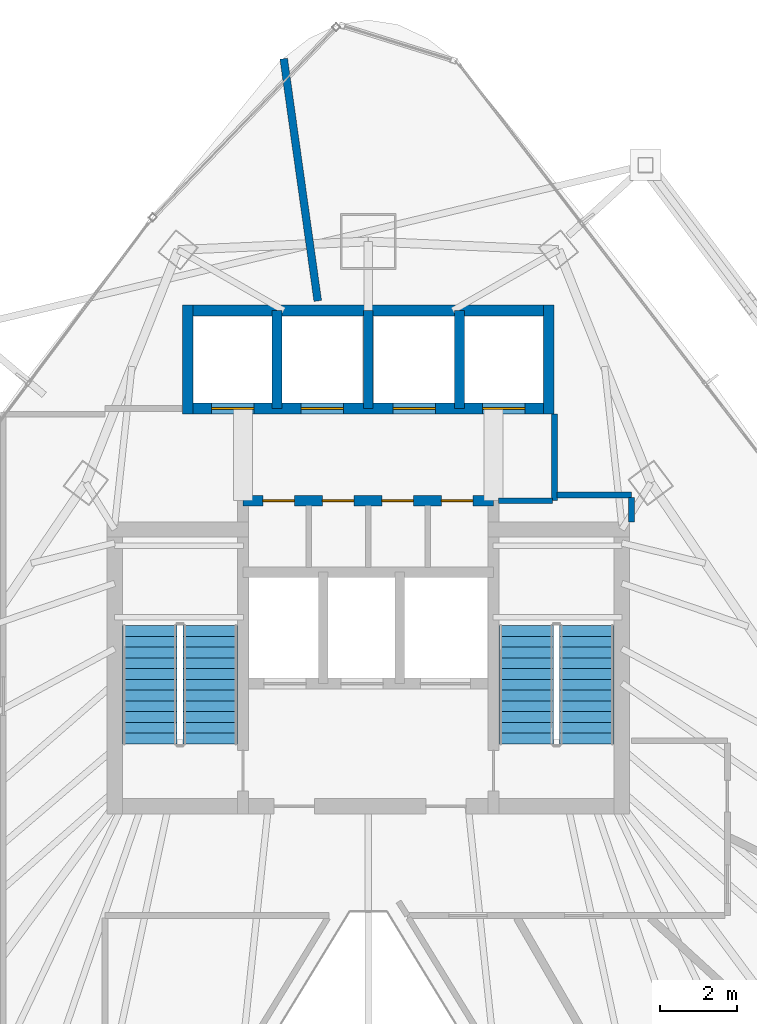
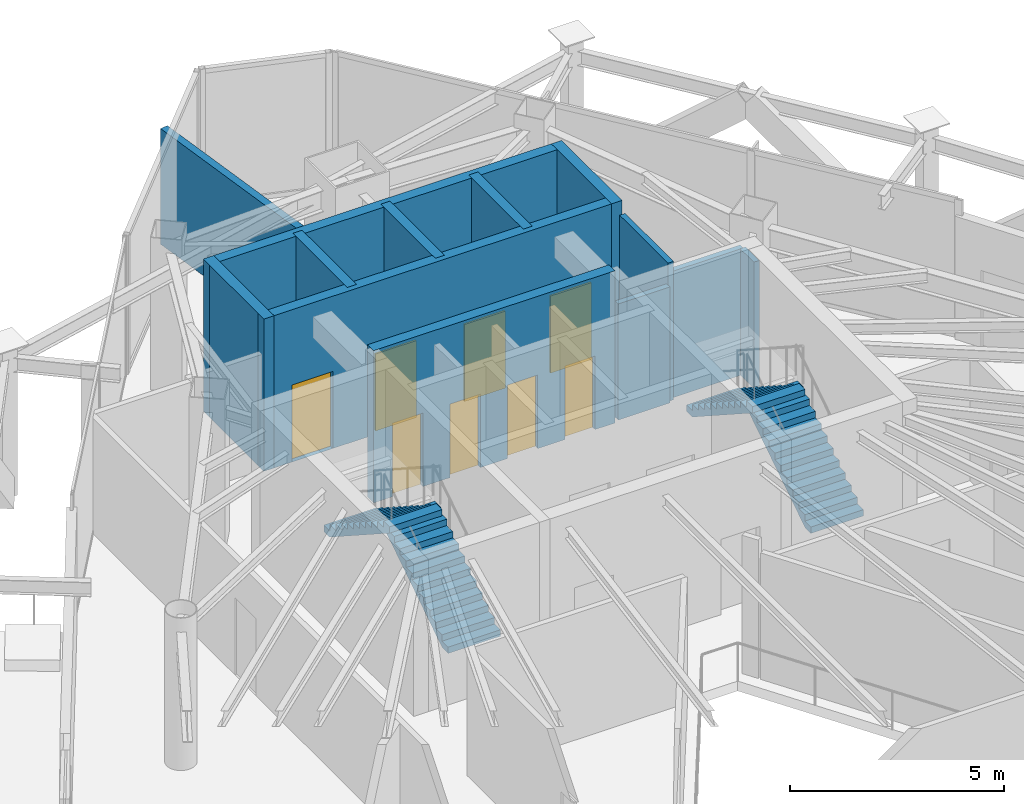
# One storey, part 24 of 27: 13 walls, 8 doors, 4 stair flights, 8 openings, 2 elements without a shape of their own.
"""IFC4 building model written with IfcOpenShell, lengths in metres."""

from ifc_helpers import new_model, si_unit, direction, frame, frame_2d, origin, place, context, subcontext, project, spatial, polyline, rectangle, outline, extrude, material, layer, layer_set, type_object, element, fill, aggregate, save


model = new_model("IFC4")

# Units and contexts
model_context = context("Model", 3, precision=1e-05, world=origin(), true_north=direction((0.0, 1.0)))
body_context = subcontext(model_context, "Body", "Model", "MODEL_VIEW")
ifc_project = project(units=[si_unit("LENGTHUNIT", "METRE"), si_unit("AREAUNIT", "SQUARE_METRE"), si_unit("VOLUMEUNIT", "CUBIC_METRE"), si_unit("PLANEANGLEUNIT", "RADIAN"), si_unit("MASSUNIT", "GRAM", prefix="KILO")], contexts=[model_context])

# Site, building, storey
site_placement = place(None, origin())
site = spatial("IfcSite", under=ifc_project, at=site_placement, CompositionType="ELEMENT")
building_placement = place(site_placement, origin())
building = spatial("IfcBuilding", under=site, at=building_placement, Name="Orvanel Arch Residences", CompositionType="ELEMENT")
storey_placement = place(building_placement, frame((0.0, 0.0, 186.949951171875)))
storey = spatial("IfcBuildingStorey", under=building, at=storey_placement, Name="L53", CompositionType="ELEMENT", Elevation=186.949951171875)

# Walls
ifc_material_1 = material(Name="Concrete N50 (50 MPa)", Category="concrete")
ifc_layer_1 = layer(ifc_material_1, 0.25)
ifc_layer_set_1 = layer_set([ifc_layer_1], Name="Concrete N50 (50 MPa)")
wall_type_1 = type_object("IfcWallType", Name="SW-CORE-250", PredefinedType="SHEAR", material=ifc_layer_set_1)
for number, where, z_axis, x_axis, name in (
    (1, (30.625, 37.050048828125, 0.0), (0.0, 0.0, 1.0), (0.0, 1.0, 0.0), "L53 Passenger Lift Inter-Shaft Wall P35"),
    (2, (33.0, 37.050048828125, 0.0), (0.0, 0.0, 1.0), (0.0, 1.0, 0.0), "L53 Passenger Lift Inter-Shaft Wall P56"),
    (3, (35.375, 37.050048828125, 0.0), (0.0, 0.0, 1.0), (0.0, 1.0, 0.0), "L53 Passenger Lift Inter-Shaft Wall P64"),
):
    element("IfcWall", number, at=place(storey_placement, frame(where, z_axis=z_axis, x_axis=x_axis)), inside=storey, type_object=wall_type_1, Name=name, PredefinedType="SHEAR", context=body_context, shape_type="SweptSolid", body=[
        extrude(rectangle(XDim=2.550048828125, YDim=0.25, at=frame_2d((1.27490234375, 0.0))), origin(), (0.0, 0.0, 1.0), 4.35009765625),
    ])

# Wall, openings, doors
ifc_material_2 = material(Name="Concrete S65 (65 MPa)", Category="concrete")
ifc_layer_2 = layer(ifc_material_2, 0.280029296875)
ifc_layer_set_2 = layer_set([ifc_layer_2], Name="Concrete S65 (65 MPa)")
wall_type_2 = type_object("IfcWallType", Name="SW-CORE-280", PredefinedType="SHEAR", material=ifc_layer_set_2)
wall_1_placement = place(storey_placement, frame((29.739990234375, 34.64990234375, 0.0), z_axis=(0.0, 0.0, 1.0), x_axis=(1.0, 0.0, 0.0)))
wall_1 = element("IfcWall", 4, at=wall_1_placement, inside=storey, type_object=wall_type_2, Name="L53 Core Service Band North Shear Wall", PredefinedType="SHEAR", context=body_context, shape_type="SweptSolid", body=[
    extrude(rectangle(XDim=6.52001953125, YDim=0.280029296875, at=frame_2d((3.260009765625, 0.0))), origin(), (0.0, 0.0, 1.0), 4.35009765625),
])
opening_1_placement = place(wall_1_placement, frame((0.514892578125, 0.0, 0.0)))
opening_1 = element("IfcOpeningElement", 5, at=opening_1_placement, cuts=wall_1, Name="Opening DS-082", PredefinedType="OPENING", context=body_context, shape_type="SweptSolid", body=[
    extrude(rectangle(XDim=0.820068359375, YDim=2.10009765625, at=frame_2d((0.41015625, 1.050048828125))), frame((0.0, 0.14990234375, 0.0), z_axis=(0.0, -1.0, 0.0), x_axis=(1.0, 0.0, 0.0)), (0.0, 0.0, 1.0), 0.300048828125),
])
opening_2_placement = place(wall_1_placement, frame((2.06494140625, 0.0, 0.0)))
opening_2 = element("IfcOpeningElement", 6, at=opening_2_placement, cuts=wall_1, Name="Opening DS-082", PredefinedType="OPENING", context=body_context, shape_type="SweptSolid", body=[
    extrude(rectangle(XDim=0.820068359375, YDim=2.10009765625, at=frame_2d((0.41015625, 1.050048828125))), frame((0.0, 0.14990234375, 0.0), z_axis=(0.0, -1.0, 0.0), x_axis=(1.0, 0.0, 0.0)), (0.0, 0.0, 1.0), 0.300048828125),
])
opening_3_placement = place(wall_1_placement, frame((3.614990234375, 0.0, 0.0)))
opening_3 = element("IfcOpeningElement", 7, at=opening_3_placement, cuts=wall_1, Name="Opening DS-082", PredefinedType="OPENING", context=body_context, shape_type="SweptSolid", body=[
    extrude(rectangle(XDim=0.820068359375, YDim=2.10009765625, at=frame_2d((0.41015625, 1.050048828125))), frame((0.0, 0.14990234375, 0.0), z_axis=(0.0, -1.0, 0.0), x_axis=(1.0, 0.0, 0.0)), (0.0, 0.0, 1.0), 0.300048828125),
])
opening_4_placement = place(wall_1_placement, frame((5.1650390625, 0.0, 0.0)))
opening_4 = element("IfcOpeningElement", 8, at=opening_4_placement, cuts=wall_1, Name="Opening DS-082", PredefinedType="OPENING", context=body_context, shape_type="SweptSolid", body=[
    extrude(rectangle(XDim=0.820068359375, YDim=2.10009765625, at=frame_2d((0.41015625, 1.050048828125))), frame((0.0, 0.14990234375, 0.0), z_axis=(0.0, -1.0, 0.0), x_axis=(1.0, 0.0, 0.0)), (0.0, 0.0, 1.0), 0.300048828125),
])
ifc_material_3 = material(Name="Galvanised steel fire-resisting door assembly", Category="steel")
door_type_1 = type_object("IfcDoorType", Name="DR-SVC-820", OperationType="NOTDEFINED", PredefinedType="DOOR", material=ifc_material_3)
door_1_placement = place(opening_1_placement, origin())
door_1 = element("IfcDoor", 9, at=door_1_placement, inside=storey, type_object=door_type_1, Name="DR-L53-CSVC-1 L53 Linen Store Door", OperationType="SINGLE_SWING_LEFT", OverallHeight=2.10009765625, OverallWidth=0.820068359375, PredefinedType="DOOR", context=body_context, shape_type="SweptSolid", body=[
    extrude(rectangle(XDim=0.820068359375, YDim=2.10009765625, at=frame_2d((0.41015625, 1.050048828125))), frame((0.0, 0.02490234375, 0.0), z_axis=(0.0, -1.0, 0.0), x_axis=(1.0, 0.0, 0.0)), (0.0, 0.0, 1.0), 0.050048828125),
])
fill(opening_1, door_1)
door_2_placement = place(opening_2_placement, origin())
door_2 = element("IfcDoor", 10, at=door_2_placement, inside=storey, type_object=door_type_1, Name="DR-L53-CSVC-2 L53 Cleaner's Store Door", OperationType="SINGLE_SWING_LEFT", OverallHeight=2.10009765625, OverallWidth=0.820068359375, PredefinedType="DOOR", context=body_context, shape_type="SweptSolid", body=[
    extrude(rectangle(XDim=0.820068359375, YDim=2.10009765625, at=frame_2d((0.41015625, 1.050048828125))), frame((0.0, 0.02490234375, 0.0), z_axis=(0.0, -1.0, 0.0), x_axis=(1.0, 0.0, 0.0)), (0.0, 0.0, 1.0), 0.050048828125),
])
fill(opening_2, door_2)
door_3_placement = place(opening_3_placement, origin())
door_3 = element("IfcDoor", 11, at=door_3_placement, inside=storey, type_object=door_type_1, Name="DR-L53-CSVC-3 L53 Electrical Meter Store Door", OperationType="SINGLE_SWING_LEFT", OverallHeight=2.10009765625, OverallWidth=0.820068359375, PredefinedType="DOOR", context=body_context, shape_type="SweptSolid", body=[
    extrude(rectangle(XDim=0.820068359375, YDim=2.10009765625, at=frame_2d((0.41015625, 1.050048828125))), frame((0.0, 0.02490234375, 0.0), z_axis=(0.0, -1.0, 0.0), x_axis=(1.0, 0.0, 0.0)), (0.0, 0.0, 1.0), 0.050048828125),
])
fill(opening_3, door_3)
door_4_placement = place(opening_4_placement, origin())
door_4 = element("IfcDoor", 12, at=door_4_placement, inside=storey, type_object=door_type_1, Name="DR-L53-CSVC-4 L53 Housekeeping Supply Store Door", OperationType="SINGLE_SWING_LEFT", OverallHeight=2.10009765625, OverallWidth=0.820068359375, PredefinedType="DOOR", context=body_context, shape_type="SweptSolid", body=[
    extrude(rectangle(XDim=0.820068359375, YDim=2.10009765625, at=frame_2d((0.41015625, 1.050048828125))), frame((0.0, 0.02490234375, 0.0), z_axis=(0.0, -1.0, 0.0), x_axis=(1.0, 0.0, 0.0)), (0.0, 0.0, 1.0), 0.050048828125),
])
fill(opening_4, door_4)

wall_2_placement = place(storey_placement, frame((37.840087890625, 37.050048828125, 0.0), z_axis=(0.0, 0.0, 1.0), x_axis=(-1.0, 0.0, 0.0)))
wall_2 = element("IfcWall", 13, at=wall_2_placement, inside=storey, type_object=wall_type_2, Name="L53 Passenger Lift Bank Front Shear Wall", PredefinedType="SHEAR", context=body_context, shape_type="SweptSolid", body=[
    extrude(rectangle(XDim=9.68017578125, YDim=0.280029296875, at=frame_2d((4.840087890625, 0.0))), origin(), (0.0, 0.0, 1.0), 4.35009765625),
])
opening_5_placement = place(wall_2_placement, frame((7.81494140625, 0.0, 0.0)))
opening_5 = element("IfcOpeningElement", 14, at=opening_5_placement, cuts=wall_2, Name="Opening LD-110", PredefinedType="OPENING", context=body_context, shape_type="SweptSolid", body=[
    extrude(rectangle(XDim=1.10009765625, YDim=2.199951171875, at=frame_2d((0.550048828125, 1.10009765625))), frame((0.0, 0.14990234375, 0.0), z_axis=(0.0, -1.0, 0.0), x_axis=(1.0, 0.0, 0.0)), (0.0, 0.0, 1.0), 0.300048828125),
])
opening_6_placement = place(wall_2_placement, frame((0.764892578125, 0.0, 0.0)))
opening_6 = element("IfcOpeningElement", 15, at=opening_6_placement, cuts=wall_2, Name="Opening LD-110", PredefinedType="OPENING", context=body_context, shape_type="SweptSolid", body=[
    extrude(rectangle(XDim=1.10009765625, YDim=2.199951171875, at=frame_2d((0.550048828125, 1.10009765625))), frame((0.0, 0.14990234375, 0.0), z_axis=(0.0, -1.0, 0.0), x_axis=(1.0, 0.0, 0.0)), (0.0, 0.0, 1.0), 0.300048828125),
])
opening_7_placement = place(wall_2_placement, frame((5.489990234375, 0.0, 0.0)))
opening_7 = element("IfcOpeningElement", 16, at=opening_7_placement, cuts=wall_2, Name="Opening LD-110", PredefinedType="OPENING", context=body_context, shape_type="SweptSolid", body=[
    extrude(rectangle(XDim=1.10009765625, YDim=2.199951171875, at=frame_2d((0.550048828125, 1.10009765625))), frame((0.0, 0.14990234375, 0.0), z_axis=(0.0, -1.0, 0.0), x_axis=(1.0, 0.0, 0.0)), (0.0, 0.0, 1.0), 0.300048828125),
])
opening_8_placement = place(wall_2_placement, frame((3.090087890625, 0.0, 0.0)))
opening_8 = element("IfcOpeningElement", 17, at=opening_8_placement, cuts=wall_2, Name="Opening LD-110", PredefinedType="OPENING", context=body_context, shape_type="SweptSolid", body=[
    extrude(rectangle(XDim=1.10009765625, YDim=2.199951171875, at=frame_2d((0.550048828125, 1.10009765625))), frame((0.0, 0.14990234375, 0.0), z_axis=(0.0, -1.0, 0.0), x_axis=(1.0, 0.0, 0.0)), (0.0, 0.0, 1.0), 0.300048828125),
])
door_type_2 = type_object("IfcDoorType", Name="DR-LFT-1100", OperationType="NOTDEFINED", PredefinedType="DOOR", material=ifc_material_3)
door_5_placement = place(opening_5_placement, origin())
door_5 = element("IfcDoor", 18, at=door_5_placement, inside=storey, type_object=door_type_2, Name="LD-P3-L53 L53 Passenger Lift P3 Sliding Landing Door", OperationType="DOUBLE_DOOR_SLIDING", OverallHeight=2.199951171875, OverallWidth=1.10009765625, PredefinedType="DOOR", context=body_context, shape_type="SweptSolid", body=[
    extrude(rectangle(XDim=1.10009765625, YDim=2.199951171875, at=frame_2d((0.550048828125, 1.10009765625))), frame((0.0, 0.02490234375, 0.0), z_axis=(0.0, -1.0, 0.0), x_axis=(1.0, 0.0, 0.0)), (0.0, 0.0, 1.0), 0.050048828125),
])
fill(opening_5, door_5)
door_6_placement = place(opening_6_placement, origin())
door_6 = element("IfcDoor", 19, at=door_6_placement, inside=storey, type_object=door_type_2, Name="LD-P4-L53 L53 Passenger Lift P4 Sliding Landing Door", OperationType="DOUBLE_DOOR_SLIDING", OverallHeight=2.199951171875, OverallWidth=1.10009765625, PredefinedType="DOOR", context=body_context, shape_type="SweptSolid", body=[
    extrude(rectangle(XDim=1.10009765625, YDim=2.199951171875, at=frame_2d((0.550048828125, 1.10009765625))), frame((0.0, 0.02490234375, 0.0), z_axis=(0.0, -1.0, 0.0), x_axis=(1.0, 0.0, 0.0)), (0.0, 0.0, 1.0), 0.050048828125),
])
fill(opening_6, door_6)
door_7_placement = place(opening_7_placement, origin())
door_7 = element("IfcDoor", 20, at=door_7_placement, inside=storey, type_object=door_type_2, Name="LD-P5-L53 L53 Passenger Lift P5 Sliding Landing Door", OperationType="DOUBLE_DOOR_SLIDING", OverallHeight=2.199951171875, OverallWidth=1.10009765625, PredefinedType="DOOR", context=body_context, shape_type="SweptSolid", body=[
    extrude(rectangle(XDim=1.10009765625, YDim=2.199951171875, at=frame_2d((0.550048828125, 1.10009765625))), frame((0.0, 0.02490234375, 0.0), z_axis=(0.0, -1.0, 0.0), x_axis=(1.0, 0.0, 0.0)), (0.0, 0.0, 1.0), 0.050048828125),
])
fill(opening_7, door_7)
door_8_placement = place(opening_8_placement, origin())
door_8 = element("IfcDoor", 21, at=door_8_placement, inside=storey, type_object=door_type_2, Name="LD-P6-L53 L53 Passenger Lift P6 Sliding Landing Door", OperationType="DOUBLE_DOOR_SLIDING", OverallHeight=2.199951171875, OverallWidth=1.10009765625, PredefinedType="DOOR", context=body_context, shape_type="SweptSolid", body=[
    extrude(rectangle(XDim=1.10009765625, YDim=2.199951171875, at=frame_2d((0.550048828125, 1.10009765625))), frame((0.0, 0.02490234375, 0.0), z_axis=(0.0, -1.0, 0.0), x_axis=(1.0, 0.0, 0.0)), (0.0, 0.0, 1.0), 0.050048828125),
])
fill(opening_8, door_8)

# Walls
wall_3_placement = place(storey_placement, frame((28.159912109375, 39.60009765625, 0.0), z_axis=(0.0, 0.0, 1.0), x_axis=(1.0, 0.0, 0.0)))
element("IfcWall", 22, at=wall_3_placement, inside=storey, type_object=wall_type_2, Name="L53 Passenger Lift Bank North Shear Wall", PredefinedType="SHEAR", context=body_context, shape_type="SweptSolid", body=[
    extrude(rectangle(XDim=9.68017578125, YDim=0.280029296875, at=frame_2d((4.840087890625, 0.0))), origin(), (0.0, 0.0, 1.0), 4.35009765625),
])
for number, where, z_axis, x_axis, name in (
    (23, (28.300048828125, 36.909912109375, 0.0), (0.0, 0.0, 1.0), (0.0, 1.0, 0.0), "L53 Passenger Lift Bank West Shear Wall"),
    (24, (37.699951171875, 36.909912109375, 0.0), (0.0, 0.0, 1.0), (0.0, 1.0, 0.0), "L53 Passenger Lift Bank East Shear Wall"),
):
    element("IfcWall", number, at=place(storey_placement, frame(where, z_axis=z_axis, x_axis=x_axis)), inside=storey, type_object=wall_type_2, Name=name, PredefinedType="SHEAR", context=body_context, shape_type="SweptSolid", body=[
        extrude(rectangle(XDim=2.830078125, YDim=0.280029296875, at=frame_2d((1.4150390625, 0.0))), origin(), (0.0, 0.0, 1.0), 4.35009765625),
    ])
ifc_material_4 = material(Name="Fire-rated plasterboard lined steel stud partition", Category="steel")
ifc_layer_3 = layer(ifc_material_4, 0.14990234375)
ifc_layer_set_3 = layer_set([ifc_layer_3], Name="Fire-rated plasterboard lined steel stud partition")
wall_type_3 = type_object("IfcWallType", Name="W-COR-150", PredefinedType="PARTITIONING", material=ifc_layer_set_3)
wall_4_placement = place(storey_placement, frame((37.85009765625, 34.64990234375, 0.0), z_axis=(0.0, 0.0, 1.0), x_axis=(0.0, 1.0, 0.0)))
element("IfcWall", 25, at=wall_4_placement, inside=storey, type_object=wall_type_3, Name="L53 Passenger Lift Lobby East Closure Wall", PredefinedType="PARTITIONING", context=body_context, shape_type="SweptSolid", body=[
    extrude(rectangle(XDim=2.260009765625, YDim=0.14990234375, at=frame_2d((1.1298828125, 0.0))), origin(), (0.0, 0.0, 1.0), 3.949951171875),
])
wall_5_placement = place(storey_placement, frame((36.385009765625, 34.64990234375, 0.0), z_axis=(0.0, 0.0, 1.0), x_axis=(1.0, 0.0, 0.0)))
element("IfcWall", 26, at=wall_5_placement, inside=storey, type_object=wall_type_3, Name="L53 Passenger Lift Lobby South-East Wall", PredefinedType="PARTITIONING", context=body_context, shape_type="SweptSolid", body=[
    extrude(rectangle(XDim=1.405029296875, YDim=0.14990234375, at=frame_2d((0.70263671875, 0.0))), origin(), (0.0, 0.0, 1.0), 3.31494140625),
])
wall_6_placement = place(storey_placement, frame((37.909912109375, 34.800048828125, 0.0), z_axis=(0.0, 0.0, 1.0), x_axis=(1.0, 0.0, 0.0)))
element("IfcWall", 27, at=wall_6_placement, inside=storey, type_object=wall_type_3, Name="L53 Core Perimeter Wall", PredefinedType="PARTITIONING", context=body_context, shape_type="SweptSolid", body=[
    extrude(rectangle(XDim=1.940185546875, YDim=0.14990234375, at=frame_2d((0.97021484375, 0.0))), origin(), (0.0, 0.0, 1.0), 3.611083984375),
])
wall_7_placement = place(storey_placement, frame((39.85009765625, 34.739990234375, 0.0), z_axis=(0.0, 0.0, 1.0), x_axis=(0.0, -1.0, 0.0)))
element("IfcWall", 28, at=wall_7_placement, inside=storey, type_object=wall_type_3, Name="L53 Core Perimeter Wall", PredefinedType="PARTITIONING", context=body_context, shape_type="SweptSolid", body=[
    extrude(rectangle(XDim=0.639892578125, YDim=0.14990234375, at=frame_2d((0.31982421875, 0.0))), origin(), (0.0, 0.0, 1.0), 3.611083984375),
])
ifc_layer_4 = layer(ifc_material_4, 0.199951171875)
ifc_layer_set_4 = layer_set([ifc_layer_4], Name="Fire-rated plasterboard lined steel stud partition")
wall_type_4 = type_object("IfcWallType", Name="W-DEM-200", PredefinedType="PARTITIONING", material=ifc_layer_set_4)
wall_8_placement = place(storey_placement, frame((30.800048828125, 46.155029296875, 0.0), z_axis=(0.0, 0.0, 1.0), x_axis=(0.139155538362, -0.990270536845, 0.0)))
element("IfcWall", 29, at=wall_8_placement, inside=storey, type_object=wall_type_4, Name="L53 Amenity Wall", PredefinedType="PARTITIONING", context=body_context, shape_type="SweptSolid", body=[
    extrude(rectangle(XDim=6.366943359375, YDim=0.199951171875, at=frame_2d((3.18359375, 0.0))), origin(), (0.0, 0.0, 1.0), 3.302978515625),
])

# Stair, stair flights
ifc_material_5 = material(Name="Precast concrete N50 (50 MPa)", Category="concrete")
stair_type = type_object("IfcStairType", Name="STR-DOG-181", PredefinedType="USERDEFINED", material=ifc_material_5)
stair_1_placement = place(storey_placement, origin())
stair_1 = element("IfcStair", 30, at=stair_1_placement, inside=storey, type_object=stair_type, Name="L53 Fire-Isolated Core Exit Stair 1", ObjectType="TWO_RETURN_STAIR", PredefinedType="USERDEFINED")
stair_flight_type_1 = type_object("IfcStairFlightType", Name="SFL-C1-181", PredefinedType="STRAIGHT", material=ifc_material_5)
stair_flight_1_placement = place(storey_placement, frame((28.889892578125, 28.320068359375, 0.0), z_axis=(0.0, 0.0, 1.0), x_axis=(0.0, 1.0, 0.0)))
stair_flight_1 = element("IfcStairFlight", 31, at=stair_flight_1_placement, type_object=stair_flight_type_1, Name="ST-1 flight 1", NumberOfRisers=12, NumberOfTreads=11, PredefinedType="STRAIGHT", RiserHeight=0.18125, TreadLength=0.28, context=body_context, shape_type="SweptSolid", body=[
    extrude(outline(polyline([(0.0, 0.0), (0.0, 0.18115234375), (0.280029296875, 0.18115234375), (0.280029296875, 0.362548828125), (0.56005859375, 0.362548828125), (0.56005859375, 0.543701171875), (0.840087890625, 0.543701171875), (0.840087890625, 0.72509765625), (1.1201171875, 0.72509765625), (1.1201171875, 0.90625), (1.39990234375, 0.90625), (1.39990234375, 1.08740234375), (1.679931640625, 1.08740234375), (1.679931640625, 1.268798828125), (1.9599609375, 1.268798828125), (1.9599609375, 1.449951171875), (2.239990234375, 1.449951171875), (2.239990234375, 1.63134765625), (2.52001953125, 1.63134765625), (2.52001953125, 1.8125), (2.800048828125, 1.8125), (2.800048828125, 1.99365234375), (3.080078125, 1.99365234375), (3.080078125, 2.175048828125), (3.080078125, 1.815185546875), (0.27587890625, 0.0), (0.0, 0.0)])), frame((0.0, 0.7099609375, 0.0), z_axis=(0.0, -1.0, 0.0), x_axis=(1.0, 0.0, 0.0)), (0.0, 0.0, 1.0), 1.419921875),
])
stair_flight_2_placement = place(storey_placement, frame((27.31005859375, 31.39990234375, 2.175048828125), z_axis=(0.0, 0.0, 1.0), x_axis=(0.0, -1.0, 0.0)))
stair_flight_2 = element("IfcStairFlight", 32, at=stair_flight_2_placement, type_object=stair_flight_type_1, Name="ST-1 flight 2", NumberOfRisers=12, NumberOfTreads=11, PredefinedType="STRAIGHT", RiserHeight=0.18125, TreadLength=0.28, context=body_context, shape_type="SweptSolid", body=[
    extrude(outline(polyline([(0.0, 0.0), (0.0, 0.18115234375), (0.280029296875, 0.18115234375), (0.280029296875, 0.362548828125), (0.56005859375, 0.362548828125), (0.56005859375, 0.543701171875), (0.840087890625, 0.543701171875), (0.840087890625, 0.72509765625), (1.1201171875, 0.72509765625), (1.1201171875, 0.90625), (1.39990234375, 0.90625), (1.39990234375, 1.08740234375), (1.679931640625, 1.08740234375), (1.679931640625, 1.268798828125), (1.9599609375, 1.268798828125), (1.9599609375, 1.449951171875), (2.239990234375, 1.449951171875), (2.239990234375, 1.63134765625), (2.52001953125, 1.63134765625), (2.52001953125, 1.8125), (2.800048828125, 1.8125), (2.800048828125, 1.99365234375), (3.080078125, 1.99365234375), (3.080078125, 2.175048828125), (3.080078125, 1.815185546875), (0.27587890625, 0.0), (0.0, 0.0)])), frame((0.0, 0.7099609375, 0.0), z_axis=(0.0, -1.0, 0.0), x_axis=(1.0, 0.0, 0.0)), (0.0, 0.0, 1.0), 1.419921875),
])
aggregate(stair_1, [stair_flight_1, stair_flight_2])

stair_2_placement = place(storey_placement, origin())
stair_2 = element("IfcStair", 33, at=stair_2_placement, inside=storey, type_object=stair_type, Name="L53 Fire-Isolated Core Exit Stair 2", ObjectType="TWO_RETURN_STAIR", PredefinedType="USERDEFINED")
stair_flight_type_2 = type_object("IfcStairFlightType", Name="SFL-C2-181", PredefinedType="STRAIGHT", material=ifc_material_5)
stair_flight_3_placement = place(storey_placement, frame((38.68994140625, 28.320068359375, 0.0), z_axis=(0.0, 0.0, 1.0), x_axis=(0.0, 1.0, 0.0)))
stair_flight_3 = element("IfcStairFlight", 34, at=stair_flight_3_placement, type_object=stair_flight_type_2, Name="ST-2 flight 1", NumberOfRisers=12, NumberOfTreads=11, PredefinedType="STRAIGHT", RiserHeight=0.18125, TreadLength=0.28, context=body_context, shape_type="SweptSolid", body=[
    extrude(outline(polyline([(0.0, 0.0), (0.0, 0.18115234375), (0.280029296875, 0.18115234375), (0.280029296875, 0.362548828125), (0.56005859375, 0.362548828125), (0.56005859375, 0.543701171875), (0.840087890625, 0.543701171875), (0.840087890625, 0.72509765625), (1.1201171875, 0.72509765625), (1.1201171875, 0.90625), (1.39990234375, 0.90625), (1.39990234375, 1.08740234375), (1.679931640625, 1.08740234375), (1.679931640625, 1.268798828125), (1.9599609375, 1.268798828125), (1.9599609375, 1.449951171875), (2.239990234375, 1.449951171875), (2.239990234375, 1.63134765625), (2.52001953125, 1.63134765625), (2.52001953125, 1.8125), (2.800048828125, 1.8125), (2.800048828125, 1.99365234375), (3.080078125, 1.99365234375), (3.080078125, 2.175048828125), (3.080078125, 1.815185546875), (0.27587890625, 0.0), (0.0, 0.0)])), frame((0.0, 0.7099609375, 0.0), z_axis=(0.0, -1.0, 0.0), x_axis=(1.0, 0.0, 0.0)), (0.0, 0.0, 1.0), 1.419921875),
])
stair_flight_4_placement = place(storey_placement, frame((37.110107421875, 31.39990234375, 2.175048828125), z_axis=(0.0, 0.0, 1.0), x_axis=(0.0, -1.0, 0.0)))
stair_flight_4 = element("IfcStairFlight", 35, at=stair_flight_4_placement, type_object=stair_flight_type_2, Name="ST-2 flight 2", NumberOfRisers=12, NumberOfTreads=11, PredefinedType="STRAIGHT", RiserHeight=0.18125, TreadLength=0.28, context=body_context, shape_type="SweptSolid", body=[
    extrude(outline(polyline([(0.0, 0.0), (0.0, 0.18115234375), (0.280029296875, 0.18115234375), (0.280029296875, 0.362548828125), (0.56005859375, 0.362548828125), (0.56005859375, 0.543701171875), (0.840087890625, 0.543701171875), (0.840087890625, 0.72509765625), (1.1201171875, 0.72509765625), (1.1201171875, 0.90625), (1.39990234375, 0.90625), (1.39990234375, 1.08740234375), (1.679931640625, 1.08740234375), (1.679931640625, 1.268798828125), (1.9599609375, 1.268798828125), (1.9599609375, 1.449951171875), (2.239990234375, 1.449951171875), (2.239990234375, 1.63134765625), (2.52001953125, 1.63134765625), (2.52001953125, 1.8125), (2.800048828125, 1.8125), (2.800048828125, 1.99365234375), (3.080078125, 1.99365234375), (3.080078125, 2.175048828125), (3.080078125, 1.815185546875), (0.27587890625, 0.0), (0.0, 0.0)])), frame((0.0, 0.7099609375, 0.0), z_axis=(0.0, -1.0, 0.0), x_axis=(1.0, 0.0, 0.0)), (0.0, 0.0, 1.0), 1.419921875),
])
aggregate(stair_2, [stair_flight_3, stair_flight_4])

save(model, "model.ifc")
